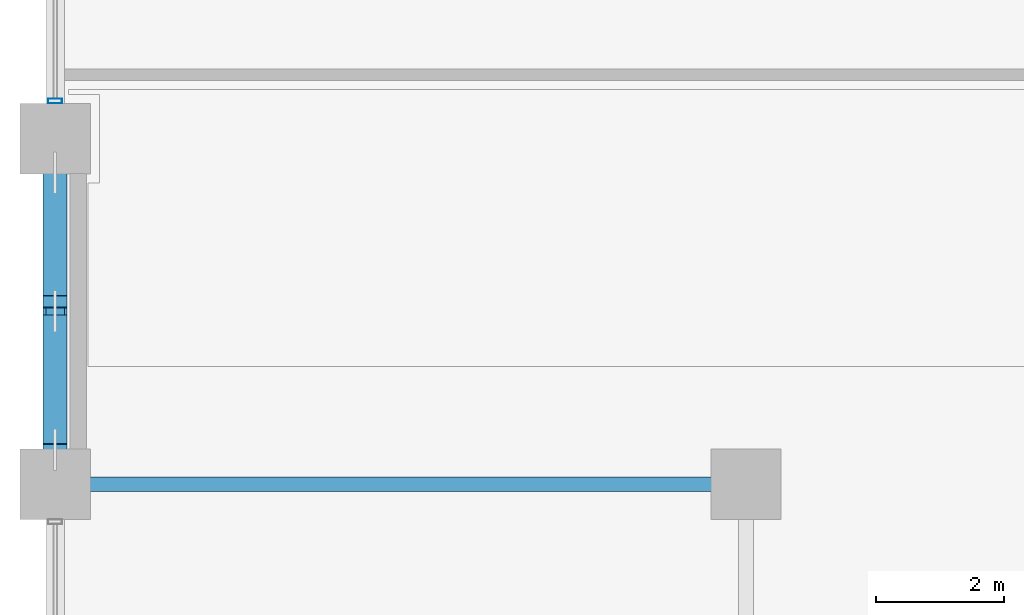
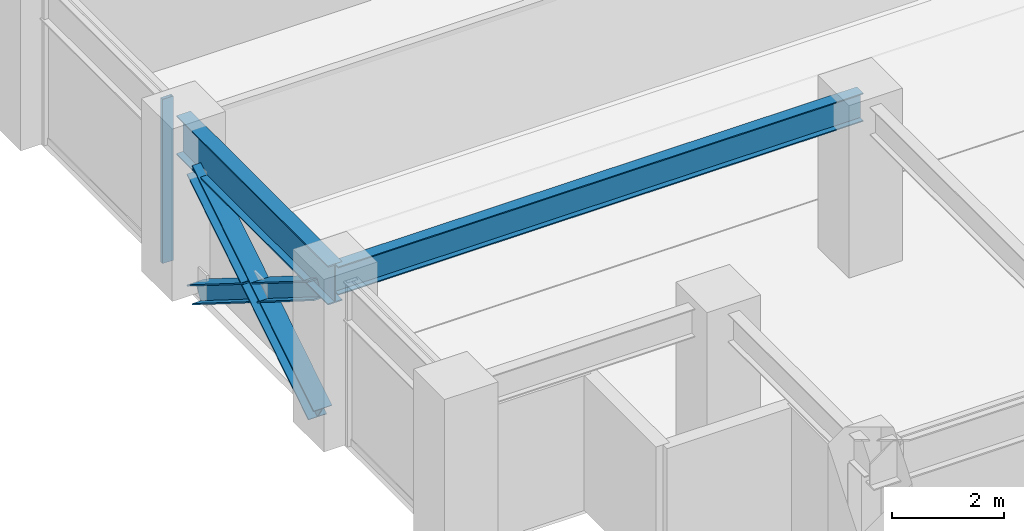
# One storey, part 3 of 25: 4 members, 2 beams, 1 element without a shape of its own.
"""IFC4 building model written with IfcOpenShell, lengths in metres."""

from ifc_helpers import new_model, si_unit, direction, frame, origin, origin_2d, place, context, subcontext, project, spatial, hollow_rectangle, i_section, extrude, material, layer, layer_set, material_profile, profile_set, type_object, element, aggregate, save


model = new_model("IFC4")

# Units and contexts
model_context = context("Model", 3, precision=1e-05, world=origin(), true_north=direction((0.0, 1.0)))
body_context = subcontext(model_context, "Body", "Model", "MODEL_VIEW")
ifc_project = project(units=[si_unit("LENGTHUNIT", "METRE"), si_unit("AREAUNIT", "SQUARE_METRE"), si_unit("VOLUMEUNIT", "CUBIC_METRE"), si_unit("PLANEANGLEUNIT", "RADIAN"), si_unit("MASSUNIT", "GRAM", prefix="KILO")], contexts=[model_context])

# Site, building, storey
site_placement = place(None, origin())
site = spatial("IfcSite", under=ifc_project, at=site_placement, CompositionType="ELEMENT")
building_placement = place(site_placement, origin())
building = spatial("IfcBuilding", under=site, at=building_placement, Name="Surkhivell Harbour Commons", CompositionType="ELEMENT")
storey_placement = place(building_placement, frame((0.0, 0.0, 113.25)))
storey = spatial("IfcBuildingStorey", under=building, at=storey_placement, Name="L29", CompositionType="ELEMENT", Elevation=113.25)

# Beams
ifc_material_1 = material(Name="Steel S355", Category="steel")
ifc_material_profile_1 = material_profile(ifc_material_1, i_section(OverallWidth=0.22998046875, OverallDepth=0.616943359375, WebThickness=0.01318359375, FlangeThickness=0.022216796875, at=origin_2d()), Name="UB610x229x140")
ifc_profile_set_1 = profile_set([ifc_material_profile_1], Name="Steel S355")
beam_type_1 = type_object("IfcBeamType", Name="BM-GRD-610B", PredefinedType="BEAM", material=ifc_profile_set_1)
beam_1_placement = place(storey_placement, frame((-32.39990234375, -16.199951171875, 3.261474609375), z_axis=(1.0, 0.0, 0.0), x_axis=(0.0, 1.0, 0.0)))
element("IfcBeam", 1, at=beam_1_placement, inside=storey, type_object=beam_type_1, Name="L29 Floor Girder (-32.4,-16.2)", PredefinedType="BEAM", context=body_context, shape_type="SweptSolid", body=[
    extrude(i_section(OverallWidth=0.22998046875, OverallDepth=0.616943359375, WebThickness=0.01318359375, FlangeThickness=0.022216796875, at=origin_2d()), origin(), (0.0, 0.0, 1.0), 10.7998046875),
])
ifc_material_2 = material(Name="Steel S460", Category="steel")
ifc_material_profile_2 = material_profile(ifc_material_2, i_section(OverallWidth=0.2939453125, OverallDepth=0.85107421875, WebThickness=0.01611328125, FlangeThickness=0.02685546875, at=origin_2d()), Name="UB838x292x226")
ifc_profile_set_2 = profile_set([ifc_material_profile_2], Name="Steel S460")
beam_type_2 = type_object("IfcBeamType", Name="BM-SPN-838", PredefinedType="SPANDREL", material=ifc_profile_set_2)
beam_2_placement = place(storey_placement, frame((-32.39990234375, -16.199951171875, 3.14453125), z_axis=(0.0, 1.0, 0.0), x_axis=(-1.0, 0.0, 0.0)))
element("IfcBeam", 2, at=beam_2_placement, inside=storey, type_object=beam_type_2, Name="L29 Tube Spandrel (-32.4,-16.2)", PredefinedType="SPANDREL", context=body_context, shape_type="SweptSolid", body=[
    extrude(i_section(OverallWidth=0.2939453125, OverallDepth=0.85107421875, WebThickness=0.01611328125, FlangeThickness=0.02685546875, at=origin_2d()), origin(), (0.0, 0.0, 1.0), 5.39990234375),
])

# Curtain wall, member
ifc_material_3 = material(Name="Anodised pale-metal aluminium and insulated glazing", Category="aluminium")
ifc_layer = layer(ifc_material_3, 0.205078125)
ifc_layer_set = layer_set([ifc_layer], Name="Anodised pale-metal aluminium and insulated glazing")
curtain_wall_type = type_object("IfcCurtainWallType", Name="CW-SYS-Z2", PredefinedType="NOTDEFINED", material=ifc_layer_set)
curtain_wall_placement = place(storey_placement, origin())
curtain_wall = element("IfcCurtainWall", 3, at=curtain_wall_placement, inside=storey, type_object=curtain_wall_type, Name="L29 Curtain Wall CW-L29-E12S1", PredefinedType="NOTDEFINED")
ifc_material_4 = material(Name="Anodised pale-metal aluminium alloy 6063-T6", Category="aluminium")
ifc_material_profile_3 = material_profile(ifc_material_4, hollow_rectangle(XDim=0.074951171875, YDim=0.219970703125, WallThickness=0.00390625, at=origin_2d()), Name="ALU-MULL-75x220")
ifc_profile_set_3 = profile_set([ifc_material_profile_3], Name="Anodised pale-metal aluminium alloy 6063-T6")
member_type_1 = type_object("IfcMemberType", Name="CWM-220", PredefinedType="MULLION", material=ifc_profile_set_3)
member_1_placement = place(storey_placement, frame((-32.39990234375, -10.21044921875, 0.0), z_axis=(0.0, 0.0, 1.0), x_axis=(0.0, -1.0, 0.0)))
member_1 = element("IfcMember", 4, at=member_1_placement, type_object=member_type_1, Name="CW-Z2 mullion 7", PredefinedType="MULLION", context=body_context, shape_type="SweptSolid", body=[
    extrude(hollow_rectangle(XDim=0.074951171875, YDim=0.219970703125, WallThickness=0.00390625, at=origin_2d()), origin(), (0.0, 0.0, 1.0), 3.570068359375),
])
aggregate(curtain_wall, [member_1])

# Members
ifc_material_profile_4 = material_profile(ifc_material_2, i_section(OverallWidth=0.375, OverallDepth=0.375, WebThickness=0.0166015625, FlangeThickness=0.027099609375, at=origin_2d()), Name="UC356x368x202")
ifc_profile_set_4 = profile_set([ifc_material_profile_4], Name="Steel S460")
member_type_2 = type_object("IfcMemberType", Name="MEM-BRC-UC356", PredefinedType="BRACE", material=ifc_profile_set_4)
member_2_placement = place(storey_placement, frame((-32.39990234375, -15.6650390625, 0.008056640625), z_axis=(0.0, 0.847246015888, 0.531200704594), x_axis=(-1.0, 0.0, 0.0)))
element("IfcMember", 5, at=member_2_placement, inside=storey, type_object=member_type_2, Name="L29 Perimeter Mega-Brace MB- 10", PredefinedType="BRACE", context=body_context, shape_type="SweptSolid", body=[
    extrude(i_section(OverallWidth=0.375, OverallDepth=0.375, WebThickness=0.0166015625, FlangeThickness=0.027099609375, at=origin_2d()), origin(), (0.0, 0.0, 1.0), 5.11083984375),
])
member_3_placement = place(storey_placement, frame((-32.39990234375, -11.3349609375, 0.008056640625), z_axis=(0.0, -0.847206308526, 0.53126403115), x_axis=(1.0, 0.0, 0.0)))
element("IfcMember", 6, at=member_3_placement, inside=storey, type_object=member_type_2, Name="L29 Perimeter Mega-Brace MB- 11", PredefinedType="BRACE", context=body_context, shape_type="SweptSolid", body=[
    extrude(i_section(OverallWidth=0.375, OverallDepth=0.375, WebThickness=0.0166015625, FlangeThickness=0.027099609375, at=origin_2d()), origin(), (0.0, 0.0, 1.0), 2.37548828125),
])
member_4_placement = place(storey_placement, frame((-32.39990234375, -13.652587890625, 1.461181640625), z_axis=(0.0, -0.84725256761, 0.53119025469), x_axis=(1.0, 0.0, 0.0)))
element("IfcMember", 7, at=member_4_placement, inside=storey, type_object=member_type_2, Name="L29 Perimeter Mega-Brace MB- 12", PredefinedType="BRACE", context=body_context, shape_type="SweptSolid", body=[
    extrude(i_section(OverallWidth=0.375, OverallDepth=0.375, WebThickness=0.0166015625, FlangeThickness=0.027099609375, at=origin_2d()), origin(), (0.0, 0.0, 1.0), 2.375244140625),
])

save(model, "model.ifc")
